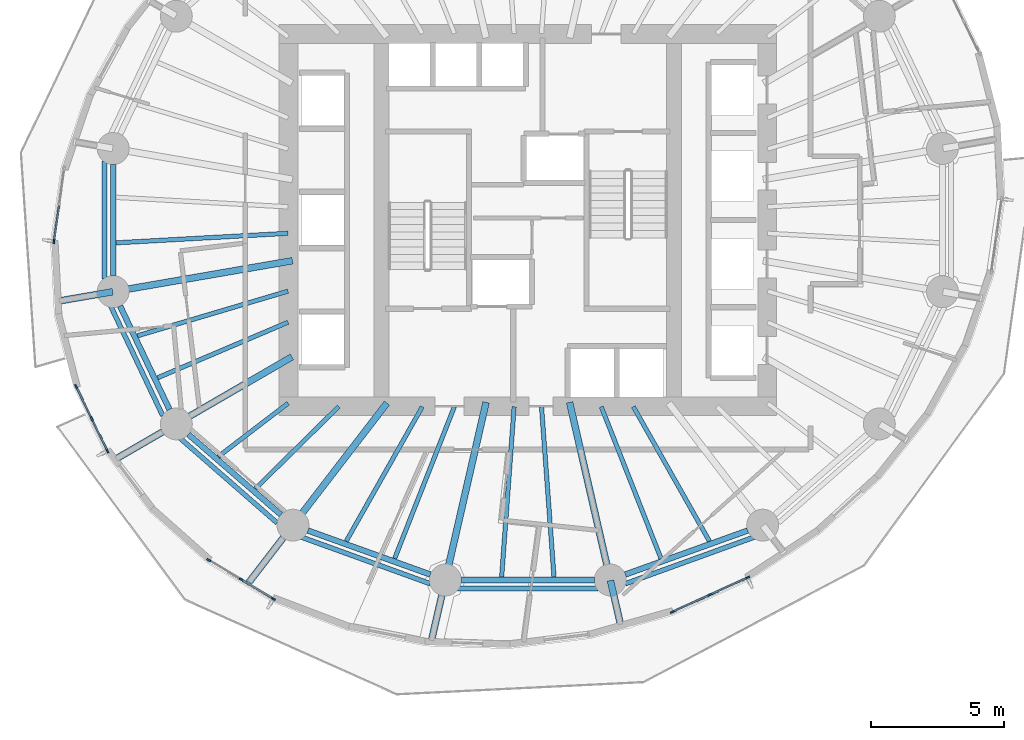
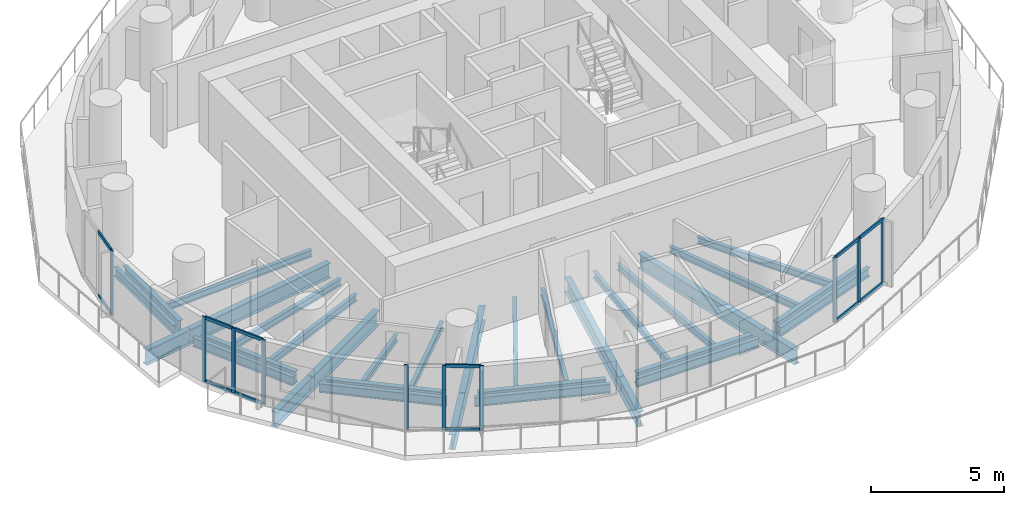
# One storey, part 2 of 14: 33 beams, 22 members, 4 elements without a shape of their own.
"""IFC4 building model written with IfcOpenShell, lengths in metres."""

from ifc_helpers import new_model, si_unit, direction, frame, origin, origin_2d, place, context, subcontext, project, spatial, rectangle, i_section, extrude, material, material_profile, profile_set, type_object, element, aggregate, save


model = new_model("IFC4")

# Units and contexts
model_context = context("Model", 3, precision=1e-05, world=origin(), true_north=direction((0.0, 1.0)))
body_context = subcontext(model_context, "Body", "Model", "MODEL_VIEW")
ifc_project = project(units=[si_unit("LENGTHUNIT", "METRE"), si_unit("AREAUNIT", "SQUARE_METRE"), si_unit("VOLUMEUNIT", "CUBIC_METRE"), si_unit("PLANEANGLEUNIT", "RADIAN"), si_unit("MASSUNIT", "GRAM", prefix="KILO")], contexts=[model_context])

# Site, building, storey
site_placement = place(None, origin())
site = spatial("IfcSite", under=ifc_project, at=site_placement, CompositionType="ELEMENT")
building_placement = place(site_placement, origin())
building = spatial("IfcBuilding", under=site, at=building_placement, Name="Veldorim Arch Residences", CompositionType="ELEMENT")
storey_placement = place(building_placement, frame((0.0, 0.0, 86.8798828125)))
storey = spatial("IfcBuildingStorey", under=building, at=storey_placement, Name="L25", CompositionType="ELEMENT", Elevation=86.8798828125)

# Beams
ifc_material_1 = material(Name="Steel S355", Category="steel")
ifc_material_profile_1 = material_profile(ifc_material_1, i_section(OverallWidth=0.2119140625, OverallDepth=0.54443359375, WebThickness=0.0126953125, FlangeThickness=0.021240234375, at=origin_2d()), Name="UB533x210x122")
ifc_profile_set_1 = profile_set([ifc_material_profile_1], Name="Steel S355")
beam_type_1 = type_object("IfcBeamType", Name="Structural Steel Beam UB533x210x122", PredefinedType="BEAM", material=ifc_profile_set_1)
beam_1_placement = place(storey_placement, frame((16.405517578125, 26.09228515625, -0.511962890625), z_axis=(0.0, -1.0, 0.0), x_axis=(1.0, 0.0, 0.0)))
element("IfcBeam", 1, at=beam_1_placement, inside=storey, type_object=beam_type_1, Name="L25 perimeter ring tie beam 08", PredefinedType="BEAM", context=body_context, shape_type="SweptSolid", body=[
    extrude(i_section(OverallWidth=0.2119140625, OverallDepth=0.54443359375, WebThickness=0.0126953125, FlangeThickness=0.021240234375, at=origin_2d()), origin(), (0.0, 0.0, 1.0), 4.1845703125),
])
beam_2_placement = place(storey_placement, frame((16.663818359375, 20.766357421875, -0.511962890625), z_axis=(0.430720154476, -0.902485539235, 0.0), x_axis=(0.902485539235, 0.430720154476, 0.0)))
element("IfcBeam", 2, at=beam_2_placement, inside=storey, type_object=beam_type_1, Name="L25 perimeter ring tie beam 09", PredefinedType="BEAM", context=body_context, shape_type="SweptSolid", body=[
    extrude(i_section(OverallWidth=0.2119140625, OverallDepth=0.54443359375, WebThickness=0.0126953125, FlangeThickness=0.021240234375, at=origin_2d()), origin(), (0.0, 0.0, 1.0), 4.312255859375),
])
beam_3_placement = place(storey_placement, frame((19.232666015625, 15.939697265625, -0.511962890625), z_axis=(0.755244952556, -0.655442645576, 0.0), x_axis=(0.655442645576, 0.755244952556, 0.0)))
element("IfcBeam", 3, at=beam_3_placement, inside=storey, type_object=beam_type_1, Name="L25 perimeter ring tie beam 10", PredefinedType="BEAM", context=body_context, shape_type="SweptSolid", body=[
    extrude(i_section(OverallWidth=0.2119140625, OverallDepth=0.54443359375, WebThickness=0.0126953125, FlangeThickness=0.021240234375, at=origin_2d()), origin(), (0.0, 0.0, 1.0), 4.608642578125),
])
beam_4_placement = place(storey_placement, frame((23.73095703125, 12.32275390625, -0.511962890625), z_axis=(0.941041944493, -0.338289903343, 0.0), x_axis=(0.338289903343, 0.941041944493, 0.0)))
element("IfcBeam", 4, at=beam_4_placement, inside=storey, type_object=beam_type_1, Name="L25 perimeter ring tie beam 11", PredefinedType="BEAM", context=body_context, shape_type="SweptSolid", body=[
    extrude(i_section(OverallWidth=0.2119140625, OverallDepth=0.54443359375, WebThickness=0.0126953125, FlangeThickness=0.021240234375, at=origin_2d()), origin(), (0.0, 0.0, 1.0), 4.890869140625),
])
beam_5_placement = place(storey_placement, frame((29.498046875, 10.465087890625, -0.511962890625), z_axis=(1.0, 0.0, 0.0), x_axis=(0.0, 1.0, 0.0)))
element("IfcBeam", 5, at=beam_5_placement, inside=storey, type_object=beam_type_1, Name="L25 perimeter ring tie beam 12", PredefinedType="BEAM", context=body_context, shape_type="SweptSolid", body=[
    extrude(i_section(OverallWidth=0.2119140625, OverallDepth=0.54443359375, WebThickness=0.0126953125, FlangeThickness=0.021240234375, at=origin_2d()), origin(), (0.0, 0.0, 1.0), 5.00390625),
])
beam_6_placement = place(storey_placement, frame((35.66650390625, 10.668212890625, -0.511962890625), z_axis=(0.941041944493, 0.338289903343, 0.0), x_axis=(-0.338289903343, 0.941041944493, 0.0)))
element("IfcBeam", 6, at=beam_6_placement, inside=storey, type_object=beam_type_1, Name="L25 perimeter ring tie beam 13", PredefinedType="BEAM", context=body_context, shape_type="SweptSolid", body=[
    extrude(i_section(OverallWidth=0.2119140625, OverallDepth=0.54443359375, WebThickness=0.0126953125, FlangeThickness=0.021240234375, at=origin_2d()), origin(), (0.0, 0.0, 1.0), 4.890869140625),
])
ifc_material_2 = material(Name="Steel S355", Category="steel")
ifc_material_profile_2 = material_profile(ifc_material_2, i_section(OverallWidth=0.25439453125, OverallDepth=0.6875, WebThickness=0.01318359375, FlangeThickness=0.02099609375, at=origin_2d()), Name="UB686x254x152")
ifc_profile_set_2 = profile_set([ifc_material_profile_2], Name="Steel S355")
beam_type_2 = type_object("IfcBeamType", Name="Structural Steel GIRDER UB686x254x152", PredefinedType="USERDEFINED", material=ifc_profile_set_2)
beam_7_placement = place(storey_placement, frame((23.147705078125, 22.4716796875, -0.58349609375), z_axis=(-0.985426622718, -0.17010106184, 0.0), x_axis=(0.17010106184, -0.985426622718, 0.0)))
element("IfcBeam", 7, at=beam_7_placement, inside=storey, type_object=beam_type_2, Name="L25 radial floor girder 09", ObjectType="GIRDER", PredefinedType="USERDEFINED", context=body_context, shape_type="SweptSolid", body=[
    extrude(i_section(OverallWidth=0.25439453125, OverallDepth=0.6875, WebThickness=0.01318359375, FlangeThickness=0.02099609375, at=origin_2d()), origin(), (0.0, 0.0, 1.0), 6.82177734375),
])
beam_8_placement = place(storey_placement, frame((16.3857421875, 21.304443359375, -0.58349609375), z_axis=(-0.985423467948, -0.170119336988, 0.0), x_axis=(0.170119336988, -0.985423467948, 0.0)))
element("IfcBeam", 8, at=beam_8_placement, inside=storey, type_object=beam_type_2, Name="L25 radial edge cantilever girder 09", ObjectType="GIRDER", PredefinedType="USERDEFINED", context=body_context, shape_type="SweptSolid", body=[
    extrude(i_section(OverallWidth=0.25439453125, OverallDepth=0.6875, WebThickness=0.01318359375, FlangeThickness=0.02099609375, at=origin_2d()), origin(), (0.0, 0.0, 1.0), 2.11669921875),
])
beam_9_placement = place(storey_placement, frame((23.1298828125, 18.85595703125, -0.58349609375), z_axis=(-0.865048957682, -0.501687453314, 0.0), x_axis=(0.501687453314, -0.865048957682, 0.0)))
element("IfcBeam", 9, at=beam_9_placement, inside=storey, type_object=beam_type_2, Name="L25 radial floor girder 10", ObjectType="GIRDER", PredefinedType="USERDEFINED", context=body_context, shape_type="SweptSolid", body=[
    extrude(i_section(OverallWidth=0.25439453125, OverallDepth=0.6875, WebThickness=0.01318359375, FlangeThickness=0.02099609375, at=origin_2d()), origin(), (0.0, 0.0, 1.0), 5.009033203125),
])
beam_10_placement = place(storey_placement, frame((18.76220703125, 16.322998046875, -0.58349609375), z_axis=(-0.865063665573, -0.501662091956, 0.0), x_axis=(0.501662091956, -0.865063665573, 0.0)))
element("IfcBeam", 10, at=beam_10_placement, inside=storey, type_object=beam_type_2, Name="L25 radial edge cantilever girder 10", ObjectType="GIRDER", PredefinedType="USERDEFINED", context=body_context, shape_type="SweptSolid", body=[
    extrude(i_section(OverallWidth=0.25439453125, OverallDepth=0.6875, WebThickness=0.01318359375, FlangeThickness=0.02099609375, at=origin_2d()), origin(), (0.0, 0.0, 1.0), 2.67529296875),
])
beam_11_placement = place(storey_placement, frame((26.702392578125, 17.118896484375, -0.58349609375), z_axis=(-0.609994628196, -0.792405548676, 0.0), x_axis=(0.792405548676, -0.609994628196, 0.0)))
element("IfcBeam", 11, at=beam_11_placement, inside=storey, type_object=beam_type_2, Name="L25 radial floor girder 11", ObjectType="GIRDER", PredefinedType="USERDEFINED", context=body_context, shape_type="SweptSolid", body=[
    extrude(i_section(OverallWidth=0.25439453125, OverallDepth=0.6875, WebThickness=0.01318359375, FlangeThickness=0.02099609375, at=origin_2d()), origin(), (0.0, 0.0, 1.0), 5.776611328125),
])
beam_12_placement = place(storey_placement, frame((23.154296875, 12.510009765625, -0.58349609375), z_axis=(-0.610003108496, -0.792399020459, 0.0), x_axis=(0.792399020459, -0.610003108496, 0.0)))
element("IfcBeam", 12, at=beam_12_placement, inside=storey, type_object=beam_type_2, Name="L25 radial edge cantilever girder 11", ObjectType="GIRDER", PredefinedType="USERDEFINED", context=body_context, shape_type="SweptSolid", body=[
    extrude(i_section(OverallWidth=0.25439453125, OverallDepth=0.6875, WebThickness=0.01318359375, FlangeThickness=0.02099609375, at=origin_2d()), origin(), (0.0, 0.0, 1.0), 2.743896484375),
])
beam_13_placement = place(storey_placement, frame((30.42919921875, 17.146240234375, -0.58349609375), z_axis=(-0.223374742148, -0.97473264261, 0.0), x_axis=(0.97473264261, -0.223374742148, 0.0)))
element("IfcBeam", 13, at=beam_13_placement, inside=storey, type_object=beam_type_2, Name="L25 radial floor girder 12", ObjectType="GIRDER", PredefinedType="USERDEFINED", context=body_context, shape_type="SweptSolid", body=[
    extrude(i_section(OverallWidth=0.25439453125, OverallDepth=0.6875, WebThickness=0.01318359375, FlangeThickness=0.02099609375, at=origin_2d()), origin(), (0.0, 0.0, 1.0), 6.834228515625),
])
beam_14_placement = place(storey_placement, frame((28.8935546875, 10.44580078125, -0.58349609375), z_axis=(-0.223325717101, -0.974743876145, 0.0), x_axis=(0.974743876145, -0.223325717101, 0.0)))
element("IfcBeam", 14, at=beam_14_placement, inside=storey, type_object=beam_type_2, Name="L25 radial edge cantilever girder 12", ObjectType="GIRDER", PredefinedType="USERDEFINED", context=body_context, shape_type="SweptSolid", body=[
    extrude(i_section(OverallWidth=0.25439453125, OverallDepth=0.6875, WebThickness=0.01318359375, FlangeThickness=0.02099609375, at=origin_2d()), origin(), (0.0, 0.0, 1.0), 2.395263671875),
])
beam_15_placement = place(storey_placement, frame((33.57080078125, 17.146240234375, -0.58349609375), z_axis=(0.223374742148, -0.97473264261, 0.0), x_axis=(0.97473264261, 0.223374742148, 0.0)))
element("IfcBeam", 15, at=beam_15_placement, inside=storey, type_object=beam_type_2, Name="L25 radial floor girder 13", ObjectType="GIRDER", PredefinedType="USERDEFINED", context=body_context, shape_type="SweptSolid", body=[
    extrude(i_section(OverallWidth=0.25439453125, OverallDepth=0.6875, WebThickness=0.01318359375, FlangeThickness=0.02099609375, at=origin_2d()), origin(), (0.0, 0.0, 1.0), 6.834228515625),
])
beam_16_placement = place(storey_placement, frame((35.1064453125, 10.44580078125, -0.58349609375), z_axis=(0.223398006298, -0.974727310986, 0.0), x_axis=(0.974727310986, 0.223398006298, 0.0)))
element("IfcBeam", 16, at=beam_16_placement, inside=storey, type_object=beam_type_2, Name="L25 radial edge cantilever girder 13", ObjectType="GIRDER", PredefinedType="USERDEFINED", context=body_context, shape_type="SweptSolid", body=[
    extrude(i_section(OverallWidth=0.25439453125, OverallDepth=0.6875, WebThickness=0.01318359375, FlangeThickness=0.02099609375, at=origin_2d()), origin(), (0.0, 0.0, 1.0), 1.769287109375),
])
ifc_material_3 = material(Name="Steel S355", Category="steel")
ifc_material_profile_3 = material_profile(ifc_material_3, i_section(OverallWidth=0.165771484375, OverallDepth=0.306640625, WebThickness=0.006591796875, FlangeThickness=0.01171875, at=origin_2d()), Name="UB305x165x46")
ifc_profile_set_3 = profile_set([ifc_material_profile_3], Name="Steel S355")
beam_type_3 = type_object("IfcBeamType", Name="Structural Steel Joist UB305x165x46", PredefinedType="JOIST", material=ifc_profile_set_3)
beam_17_placement = place(storey_placement, frame((22.97998046875, 23.501708984375, -0.39306640625), z_axis=(-0.99847713097, -0.055167190702, 0.0), x_axis=(0.055167190702, -0.99847713097, 0.0)))
element("IfcBeam", 17, at=beam_17_placement, inside=storey, type_object=beam_type_3, Name="L25 secondary radial floor joist 08-2", PredefinedType="JOIST", context=body_context, shape_type="SweptSolid", body=[
    extrude(i_section(OverallWidth=0.165771484375, OverallDepth=0.306640625, WebThickness=0.006591796875, FlangeThickness=0.01171875, at=origin_2d()), origin(), (0.0, 0.0, 1.0), 6.474365234375),
])
beam_18_placement = place(storey_placement, frame((22.980712890625, 21.326416015625, -0.39306640625), z_axis=(-0.958753061488, -0.284240333324, 0.0), x_axis=(0.284240333324, -0.958753061488, 0.0)))
element("IfcBeam", 18, at=beam_18_placement, inside=storey, type_object=beam_type_3, Name="L25 secondary radial floor joist 09-1", PredefinedType="JOIST", context=body_context, shape_type="SweptSolid", body=[
    extrude(i_section(OverallWidth=0.165771484375, OverallDepth=0.306640625, WebThickness=0.006591796875, FlangeThickness=0.01171875, at=origin_2d()), origin(), (0.0, 0.0, 1.0), 5.906005859375),
])
beam_19_placement = place(storey_placement, frame((22.981689453125, 20.158447265625, -0.39306640625), z_axis=(-0.919997395122, -0.391924473552, 0.0), x_axis=(0.391924473552, -0.919997395122, 0.0)))
element("IfcBeam", 19, at=beam_19_placement, inside=storey, type_object=beam_type_3, Name="L25 secondary radial floor joist 09-2", PredefinedType="JOIST", context=body_context, shape_type="SweptSolid", body=[
    extrude(i_section(OverallWidth=0.165771484375, OverallDepth=0.306640625, WebThickness=0.006591796875, FlangeThickness=0.01171875, at=origin_2d()), origin(), (0.0, 0.0, 1.0), 5.334716796875),
])
beam_20_placement = place(storey_placement, frame((22.984130859375, 17.111572265625, -0.39306640625), z_axis=(-0.794594763594, -0.60714014994, 0.0), x_axis=(0.60714014994, -0.794594763594, 0.0)))
element("IfcBeam", 20, at=beam_20_placement, inside=storey, type_object=beam_type_3, Name="L25 secondary radial floor joist 10-1", PredefinedType="JOIST", context=body_context, shape_type="SweptSolid", body=[
    extrude(i_section(OverallWidth=0.165771484375, OverallDepth=0.306640625, WebThickness=0.006591796875, FlangeThickness=0.01171875, at=origin_2d()), origin(), (0.0, 0.0, 1.0), 3.30419921875),
])
beam_21_placement = place(storey_placement, frame((24.885986328125, 16.986083984375, -0.39306640625), z_axis=(-0.712111629941, -0.702066255066, 0.0), x_axis=(0.702066255066, -0.712111629941, 0.0)))
element("IfcBeam", 21, at=beam_21_placement, inside=storey, type_object=beam_type_3, Name="L25 secondary radial floor joist 10-2", PredefinedType="JOIST", context=body_context, shape_type="SweptSolid", body=[
    extrude(i_section(OverallWidth=0.165771484375, OverallDepth=0.306640625, WebThickness=0.006591796875, FlangeThickness=0.01171875, at=origin_2d()), origin(), (0.0, 0.0, 1.0), 4.39892578125),
])
beam_22_placement = place(storey_placement, frame((28.03173828125, 16.982666015625, -0.39306640625), z_axis=(-0.492227411199, -0.870466642476, 0.0), x_axis=(0.870466642476, -0.492227411199, 0.0)))
element("IfcBeam", 22, at=beam_22_placement, inside=storey, type_object=beam_type_3, Name="L25 secondary radial floor joist 11-1", PredefinedType="JOIST", context=body_context, shape_type="SweptSolid", body=[
    extrude(i_section(OverallWidth=0.165771484375, OverallDepth=0.306640625, WebThickness=0.006591796875, FlangeThickness=0.01171875, at=origin_2d()), origin(), (0.0, 0.0, 1.0), 5.81494140625),
])
beam_23_placement = place(storey_placement, frame((29.238037109375, 16.9814453125, -0.39306640625), z_axis=(-0.366194870364, -0.930538186707, 0.0), x_axis=(0.930538186707, -0.366194870364, 0.0)))
element("IfcBeam", 23, at=beam_23_placement, inside=storey, type_object=beam_type_3, Name="L25 secondary radial floor joist 11-2", PredefinedType="JOIST", context=body_context, shape_type="SweptSolid", body=[
    extrude(i_section(OverallWidth=0.165771484375, OverallDepth=0.306640625, WebThickness=0.006591796875, FlangeThickness=0.01171875, at=origin_2d()), origin(), (0.0, 0.0, 1.0), 6.1396484375),
])
for number, where, z_axis, x_axis, name in (
    (24, (31.485107421875, 16.97998046875, -0.39306640625), (-0.073143494169, -0.997321427254, 0.0), (0.997321427254, -0.073143494169, 0.0), "L25 secondary radial floor joist 12-1"),
    (25, (32.514892578125, 16.97998046875, -0.39306640625), (0.073143494169, -0.997321427254, 0.0), (0.997321427254, 0.073143494169, 0.0), "L25 secondary radial floor joist 12-2"),
):
    element("IfcBeam", number, at=place(storey_placement, frame(where, z_axis=z_axis, x_axis=x_axis)), inside=storey, type_object=beam_type_3, Name=name, PredefinedType="JOIST", context=body_context, shape_type="SweptSolid", body=[
        extrude(i_section(OverallWidth=0.165771484375, OverallDepth=0.306640625, WebThickness=0.006591796875, FlangeThickness=0.01171875, at=origin_2d()), origin(), (0.0, 0.0, 1.0), 6.421875),
    ])
beam_24_placement = place(storey_placement, frame((34.761962890625, 16.9814453125, -0.39306640625), z_axis=(0.366194870364, -0.930538186707, 0.0), x_axis=(0.930538186707, 0.366194870364, 0.0)))
element("IfcBeam", 26, at=beam_24_placement, inside=storey, type_object=beam_type_3, Name="L25 secondary radial floor joist 13-1", PredefinedType="JOIST", context=body_context, shape_type="SweptSolid", body=[
    extrude(i_section(OverallWidth=0.165771484375, OverallDepth=0.306640625, WebThickness=0.006591796875, FlangeThickness=0.01171875, at=origin_2d()), origin(), (0.0, 0.0, 1.0), 6.1396484375),
])
beam_25_placement = place(storey_placement, frame((35.96826171875, 16.982666015625, -0.39306640625), z_axis=(0.492227411199, -0.870466642476, 0.0), x_axis=(0.870466642476, 0.492227411199, 0.0)))
element("IfcBeam", 27, at=beam_25_placement, inside=storey, type_object=beam_type_3, Name="L25 secondary radial floor joist 13-2", PredefinedType="JOIST", context=body_context, shape_type="SweptSolid", body=[
    extrude(i_section(OverallWidth=0.165771484375, OverallDepth=0.306640625, WebThickness=0.006591796875, FlangeThickness=0.01171875, at=origin_2d()), origin(), (0.0, 0.0, 1.0), 5.81494140625),
])
ifc_material_4 = material(Name="Steel S355", Category="steel")
ifc_material_profile_4 = material_profile(ifc_material_4, i_section(OverallWidth=0.1787109375, OverallDepth=0.409423828125, WebThickness=0.0087890625, FlangeThickness=0.014404296875, at=origin_2d()), Name="UB406x178x67")
ifc_profile_set_4 = profile_set([ifc_material_profile_4], Name="Steel S355")
beam_type_4 = type_object("IfcBeamType", Name="Structural Steel Spandrel UB406x178x67", PredefinedType="SPANDREL", material=ifc_profile_set_4)
beam_26_placement = place(storey_placement, frame((16.080322265625, 26.22021484375, -0.464599609375), z_axis=(0.0, -1.0, 0.0), x_axis=(1.0, 0.0, 0.0)))
element("IfcBeam", 28, at=beam_26_placement, inside=storey, type_object=beam_type_4, Name="L25 perimeter chord spandrel beam 08", PredefinedType="SPANDREL", context=body_context, shape_type="SweptSolid", body=[
    extrude(i_section(OverallWidth=0.1787109375, OverallDepth=0.409423828125, WebThickness=0.0087890625, FlangeThickness=0.014404296875, at=origin_2d()), origin(), (0.0, 0.0, 1.0), 4.4404296875),
])
beam_27_placement = place(storey_placement, frame((16.306884765625, 20.774658203125, -0.464599609375), z_axis=(0.428857472204, -0.903372165021, 0.0), x_axis=(0.903372165021, 0.428857472204, 0.0)))
element("IfcBeam", 29, at=beam_27_placement, inside=storey, type_object=beam_type_4, Name="L25 perimeter chord spandrel beam 09", PredefinedType="SPANDREL", context=body_context, shape_type="SweptSolid", body=[
    extrude(i_section(OverallWidth=0.1787109375, OverallDepth=0.409423828125, WebThickness=0.0087890625, FlangeThickness=0.014404296875, at=origin_2d()), origin(), (0.0, 0.0, 1.0), 4.572021484375),
])
beam_28_placement = place(storey_placement, frame((18.891845703125, 15.8203125, -0.464599609375), z_axis=(0.753323239074, -0.65765043714, 0.0), x_axis=(0.65765043714, 0.753323239074, 0.0)))
element("IfcBeam", 30, at=beam_28_placement, inside=storey, type_object=beam_type_4, Name="L25 perimeter chord spandrel beam 10", PredefinedType="SPANDREL", context=body_context, shape_type="SweptSolid", body=[
    extrude(i_section(OverallWidth=0.1787109375, OverallDepth=0.409423828125, WebThickness=0.0087890625, FlangeThickness=0.014404296875, at=origin_2d()), origin(), (0.0, 0.0, 1.0), 4.879150390625),
])
beam_29_placement = place(storey_placement, frame((23.461669921875, 12.08447265625, -0.464599609375), z_axis=(0.940307501418, -0.340326024244, 0.0), x_axis=(0.340326024244, 0.940307501418, 0.0)))
element("IfcBeam", 31, at=beam_29_placement, inside=storey, type_object=beam_type_4, Name="L25 perimeter chord spandrel beam 11", PredefinedType="SPANDREL", context=body_context, shape_type="SweptSolid", body=[
    extrude(i_section(OverallWidth=0.1787109375, OverallDepth=0.409423828125, WebThickness=0.0087890625, FlangeThickness=0.014404296875, at=origin_2d()), origin(), (0.0, 0.0, 1.0), 5.175048828125),
])
beam_30_placement = place(storey_placement, frame((29.352294921875, 10.1435546875, -0.464599609375), z_axis=(1.0, 0.0, 0.0), x_axis=(0.0, 1.0, 0.0)))
element("IfcBeam", 32, at=beam_30_placement, inside=storey, type_object=beam_type_4, Name="L25 perimeter chord spandrel beam 12", PredefinedType="SPANDREL", context=body_context, shape_type="SweptSolid", body=[
    extrude(i_section(OverallWidth=0.1787109375, OverallDepth=0.409423828125, WebThickness=0.0087890625, FlangeThickness=0.014404296875, at=origin_2d()), origin(), (0.0, 0.0, 1.0), 5.29541015625),
])
beam_31_placement = place(storey_placement, frame((35.672119140625, 10.3232421875, -0.464599609375), z_axis=(0.940307501418, 0.340326024244, 0.0), x_axis=(-0.340326024244, 0.940307501418, 0.0)))
element("IfcBeam", 33, at=beam_31_placement, inside=storey, type_object=beam_type_4, Name="L25 perimeter chord spandrel beam 13", PredefinedType="SPANDREL", context=body_context, shape_type="SweptSolid", body=[
    extrude(i_section(OverallWidth=0.1787109375, OverallDepth=0.409423828125, WebThickness=0.0087890625, FlangeThickness=0.014404296875, at=origin_2d()), origin(), (0.0, 0.0, 1.0), 5.175048828125),
])

# Curtain wall, member
ifc_material_5 = material(Name="Aluminium", Category="aluminium")
curtain_wall_type = type_object("IfcCurtainWallType", Name="Zone 2 Solar-Control Unitised Curtain Wall", PredefinedType="NOTDEFINED", material=ifc_material_5)
curtain_wall_1_placement = place(storey_placement, origin())
curtain_wall_1 = element("IfcCurtainWall", 34, at=curtain_wall_1_placement, inside=storey, type_object=curtain_wall_type, Name="L25 unitised curtain wall bay 16", PredefinedType="NOTDEFINED")
ifc_material_6 = material(Name="Aluminium", Category="aluminium")
ifc_material_profile_5 = material_profile(ifc_material_6, rectangle(XDim=0.06494140625, YDim=0.1650390625, at=origin_2d()), Name="ALU_MUL_65x165")
ifc_profile_set_5 = profile_set([ifc_material_profile_5], Name="Aluminium")
member_type_1 = type_object("IfcMemberType", Name="Zone 2 Solar-Control Unitised Curtain Wall Mullion 65x165", PredefinedType="MULLION", material=ifc_profile_set_5)
member_1_placement = place(storey_placement, frame((14.1767578125, 23.197998046875, 0.0), z_axis=(0.0, 0.0, 1.0), x_axis=(-0.990070536302, 0.140571452105, 0.0)))
member_1 = element("IfcMember", 35, at=member_1_placement, type_object=member_type_1, Name="CW-Z2 mullion 1", PredefinedType="MULLION", context=body_context, shape_type="SweptSolid", body=[
    extrude(rectangle(XDim=0.06494140625, YDim=0.1650390625, at=origin_2d()), origin(), (0.0, 0.0, 1.0), 2.960205078125),
])

# Curtain wall, members
curtain_wall_2_placement = place(storey_placement, origin())
curtain_wall_2 = element("IfcCurtainWall", 36, at=curtain_wall_2_placement, inside=storey, type_object=curtain_wall_type, Name="L25 unitised curtain wall bay 19", PredefinedType="NOTDEFINED")
member_2_placement = place(storey_placement, frame((16.18701171875, 15.315673828125, 0.0), z_axis=(0.0, 0.0, 1.0), x_axis=(-0.89943933332, -0.437045633403, 0.0)))
member_2 = element("IfcMember", 37, at=member_2_placement, type_object=member_type_1, Name="CW-Z2 mullion 1", PredefinedType="MULLION", context=body_context, shape_type="SweptSolid", body=[
    extrude(rectangle(XDim=0.06494140625, YDim=0.1650390625, at=origin_2d()), origin(), (0.0, 0.0, 1.0), 2.960205078125),
])
member_3_placement = place(storey_placement, frame((15.598388671875, 16.526611328125, 0.0), z_axis=(0.0, 0.0, 1.0), x_axis=(-0.89943933332, -0.437045633403, 0.0)))
member_3 = element("IfcMember", 38, at=member_3_placement, type_object=member_type_1, Name="CW-Z2 mullion 2", PredefinedType="MULLION", context=body_context, shape_type="SweptSolid", body=[
    extrude(rectangle(XDim=0.06494140625, YDim=0.1650390625, at=origin_2d()), origin(), (0.0, 0.0, 1.0), 2.960205078125),
])
member_4_placement = place(storey_placement, frame((15.010009765625, 17.737548828125, 0.0), z_axis=(0.0, 0.0, 1.0), x_axis=(-0.89943933332, -0.437045633403, 0.0)))
member_4 = element("IfcMember", 39, at=member_4_placement, type_object=member_type_1, Name="CW-Z2 mullion 3", PredefinedType="MULLION", context=body_context, shape_type="SweptSolid", body=[
    extrude(rectangle(XDim=0.06494140625, YDim=0.1650390625, at=origin_2d()), origin(), (0.0, 0.0, 1.0), 2.960205078125),
])

curtain_wall_3_placement = place(storey_placement, origin())
curtain_wall_3 = element("IfcCurtainWall", 40, at=curtain_wall_3_placement, inside=storey, type_object=curtain_wall_type, Name="L25 unitised curtain wall bay 22", PredefinedType="NOTDEFINED")
member_5_placement = place(storey_placement, frame((22.430908203125, 9.755126953125, 0.0), z_axis=(0.0, 0.0, 1.0), x_axis=(-0.514313089023, -0.857602499098, 0.0)))
member_5 = element("IfcMember", 41, at=member_5_placement, type_object=member_type_1, Name="CW-Z2 mullion 1", PredefinedType="MULLION", context=body_context, shape_type="SweptSolid", body=[
    extrude(rectangle(XDim=0.06494140625, YDim=0.1650390625, at=origin_2d()), origin(), (0.0, 0.0, 1.0), 2.960205078125),
])
member_6_placement = place(storey_placement, frame((21.2158203125, 10.483642578125, 0.0), z_axis=(0.0, 0.0, 1.0), x_axis=(-0.514313089023, -0.857602499098, 0.0)))
member_6 = element("IfcMember", 42, at=member_6_placement, type_object=member_type_1, Name="CW-Z2 mullion 2", PredefinedType="MULLION", context=body_context, shape_type="SweptSolid", body=[
    extrude(rectangle(XDim=0.06494140625, YDim=0.1650390625, at=origin_2d()), origin(), (0.0, 0.0, 1.0), 2.960205078125),
])
member_7_placement = place(storey_placement, frame((20.0009765625, 11.21240234375, 0.0), z_axis=(0.0, 0.0, 1.0), x_axis=(-0.514313089023, -0.857602499098, 0.0)))
member_7 = element("IfcMember", 43, at=member_7_placement, type_object=member_type_1, Name="CW-Z2 mullion 3", PredefinedType="MULLION", context=body_context, shape_type="SweptSolid", body=[
    extrude(rectangle(XDim=0.06494140625, YDim=0.1650390625, at=origin_2d()), origin(), (0.0, 0.0, 1.0), 2.960205078125),
])

curtain_wall_4_placement = place(storey_placement, origin())
curtain_wall_4 = element("IfcCurtainWall", 44, at=curtain_wall_4_placement, inside=storey, type_object=curtain_wall_type, Name="L25 unitised curtain wall bay 28", PredefinedType="NOTDEFINED")
member_8_placement = place(storey_placement, frame((40.262451171875, 10.551025390625, 0.0), z_axis=(0.0, 0.0, 1.0), x_axis=(0.414741699201, -0.909939186399, 0.0)))
member_8 = element("IfcMember", 45, at=member_8_placement, type_object=member_type_1, Name="CW-Z2 mullion 1", PredefinedType="MULLION", context=body_context, shape_type="SweptSolid", body=[
    extrude(rectangle(XDim=0.06494140625, YDim=0.1650390625, at=origin_2d()), origin(), (0.0, 0.0, 1.0), 2.960205078125),
])
member_9_placement = place(storey_placement, frame((38.85009765625, 9.9072265625, 0.0), z_axis=(0.0, 0.0, 1.0), x_axis=(0.414741699201, -0.909939186399, 0.0)))
member_9 = element("IfcMember", 46, at=member_9_placement, type_object=member_type_1, Name="CW-Z2 mullion 2", PredefinedType="MULLION", context=body_context, shape_type="SweptSolid", body=[
    extrude(rectangle(XDim=0.06494140625, YDim=0.1650390625, at=origin_2d()), origin(), (0.0, 0.0, 1.0), 2.960205078125),
])
member_10_placement = place(storey_placement, frame((37.437744140625, 9.263427734375, 0.0), z_axis=(0.0, 0.0, 1.0), x_axis=(0.414741699201, -0.909939186399, 0.0)))
member_10 = element("IfcMember", 47, at=member_10_placement, type_object=member_type_1, Name="CW-Z2 mullion 3", PredefinedType="MULLION", context=body_context, shape_type="SweptSolid", body=[
    extrude(rectangle(XDim=0.06494140625, YDim=0.1650390625, at=origin_2d()), origin(), (0.0, 0.0, 1.0), 2.960205078125),
])

# Member
ifc_material_7 = material(Name="Aluminium", Category="aluminium")
ifc_material_profile_6 = material_profile(ifc_material_7, rectangle(XDim=0.06494140625, YDim=0.14501953125, at=origin_2d()), Name="ALU_TRN_65x145")
ifc_profile_set_6 = profile_set([ifc_material_profile_6], Name="Aluminium")
member_type_2 = type_object("IfcMemberType", Name="Zone 2 Solar-Control Unitised Curtain Wall Transom 65x145", PredefinedType="USERDEFINED", material=ifc_profile_set_6)
member_11_placement = place(storey_placement, frame((14.18115234375, 23.230224609375, 0.03271484375), z_axis=(0.140644069109, 0.990060223332, 0.0), x_axis=(-0.990060223332, 0.140644069109, 0.0)))
member_11 = element("IfcMember", 48, at=member_11_placement, type_object=member_type_2, Name="CW-Z2 transom 1.1", ObjectType="TRANSOM", PredefinedType="USERDEFINED", context=body_context, shape_type="SweptSolid", body=[
    extrude(rectangle(XDim=0.06494140625, YDim=0.14501953125, at=origin_2d()), origin(), (0.0, 0.0, 1.0), 1.3193359375),
])

member_12_placement = place(storey_placement, frame((14.18115234375, 23.230224609375, 2.927734375), z_axis=(0.140644069109, 0.990060223332, 0.0), x_axis=(-0.990060223332, 0.140644069109, 0.0)))
member_12 = element("IfcMember", 49, at=member_12_placement, type_object=member_type_2, Name="CW-Z2 transom 1.2", ObjectType="TRANSOM", PredefinedType="USERDEFINED", context=body_context, shape_type="SweptSolid", body=[
    extrude(rectangle(XDim=0.06494140625, YDim=0.14501953125, at=origin_2d()), origin(), (0.0, 0.0, 1.0), 1.3193359375),
])

aggregate(curtain_wall_1, [member_1, member_11, member_12])

member_13_placement = place(storey_placement, frame((16.172607421875, 15.344970703125, 0.03271484375), z_axis=(-0.436970043232, 0.899476059335, 0.0), x_axis=(-0.899476059335, -0.436970043232, 0.0)))
member_13 = element("IfcMember", 50, at=member_13_placement, type_object=member_type_2, Name="CW-Z2 transom 1.1", ObjectType="TRANSOM", PredefinedType="USERDEFINED", context=body_context, shape_type="SweptSolid", body=[
    extrude(rectangle(XDim=0.06494140625, YDim=0.14501953125, at=origin_2d()), origin(), (0.0, 0.0, 1.0), 1.281005859375),
])

member_14_placement = place(storey_placement, frame((16.172607421875, 15.344970703125, 2.927734375), z_axis=(-0.436970043232, 0.899476059335, 0.0), x_axis=(-0.899476059335, -0.436970043232, 0.0)))
member_14 = element("IfcMember", 51, at=member_14_placement, type_object=member_type_2, Name="CW-Z2 transom 1.2", ObjectType="TRANSOM", PredefinedType="USERDEFINED", context=body_context, shape_type="SweptSolid", body=[
    extrude(rectangle(XDim=0.06494140625, YDim=0.14501953125, at=origin_2d()), origin(), (0.0, 0.0, 1.0), 1.281005859375),
])

member_15_placement = place(storey_placement, frame((15.584228515625, 16.555908203125, 0.03271484375), z_axis=(-0.436970043232, 0.899476059335, 0.0), x_axis=(-0.899476059335, -0.436970043232, 0.0)))
member_15 = element("IfcMember", 52, at=member_15_placement, type_object=member_type_2, Name="CW-Z2 transom 2.1", ObjectType="TRANSOM", PredefinedType="USERDEFINED", context=body_context, shape_type="SweptSolid", body=[
    extrude(rectangle(XDim=0.06494140625, YDim=0.14501953125, at=origin_2d()), origin(), (0.0, 0.0, 1.0), 1.281005859375),
])

member_16_placement = place(storey_placement, frame((15.584228515625, 16.555908203125, 2.927734375), z_axis=(-0.436970043232, 0.899476059335, 0.0), x_axis=(-0.899476059335, -0.436970043232, 0.0)))
member_16 = element("IfcMember", 53, at=member_16_placement, type_object=member_type_2, Name="CW-Z2 transom 2.2", ObjectType="TRANSOM", PredefinedType="USERDEFINED", context=body_context, shape_type="SweptSolid", body=[
    extrude(rectangle(XDim=0.06494140625, YDim=0.14501953125, at=origin_2d()), origin(), (0.0, 0.0, 1.0), 1.281005859375),
])

aggregate(curtain_wall_2, [member_2, member_3, member_4, member_13, member_14, member_15, member_16])

member_17_placement = place(storey_placement, frame((22.403076171875, 9.771728515625, 0.03271484375), z_axis=(-0.857604444173, 0.514309845653, 0.0), x_axis=(-0.514309845653, -0.857604444173, 0.0)))
member_17 = element("IfcMember", 54, at=member_17_placement, type_object=member_type_2, Name="CW-Z2 transom 1.1", ObjectType="TRANSOM", PredefinedType="USERDEFINED", context=body_context, shape_type="SweptSolid", body=[
    extrude(rectangle(XDim=0.06494140625, YDim=0.14501953125, at=origin_2d()), origin(), (0.0, 0.0, 1.0), 1.35205078125),
])

member_18_placement = place(storey_placement, frame((22.403076171875, 9.771728515625, 2.927734375), z_axis=(-0.857604444173, 0.514309845653, 0.0), x_axis=(-0.514309845653, -0.857604444173, 0.0)))
member_18 = element("IfcMember", 55, at=member_18_placement, type_object=member_type_2, Name="CW-Z2 transom 1.2", ObjectType="TRANSOM", PredefinedType="USERDEFINED", context=body_context, shape_type="SweptSolid", body=[
    extrude(rectangle(XDim=0.06494140625, YDim=0.14501953125, at=origin_2d()), origin(), (0.0, 0.0, 1.0), 1.35205078125),
])

aggregate(curtain_wall_3, [member_5, member_6, member_7, member_17, member_18])

member_19_placement = place(storey_placement, frame((40.23291015625, 10.537353515625, 0.03271484375), z_axis=(-0.909966885457, -0.414680922364, 0.0), x_axis=(0.414680922364, -0.909966885457, 0.0)))
member_19 = element("IfcMember", 56, at=member_19_placement, type_object=member_type_2, Name="CW-Z2 transom 1.1", ObjectType="TRANSOM", PredefinedType="USERDEFINED", context=body_context, shape_type="SweptSolid", body=[
    extrude(rectangle(XDim=0.06494140625, YDim=0.14501953125, at=origin_2d()), origin(), (0.0, 0.0, 1.0), 1.487060546875),
])

member_20_placement = place(storey_placement, frame((40.23291015625, 10.537353515625, 2.927734375), z_axis=(-0.909966885457, -0.414680922364, 0.0), x_axis=(0.414680922364, -0.909966885457, 0.0)))
member_20 = element("IfcMember", 57, at=member_20_placement, type_object=member_type_2, Name="CW-Z2 transom 1.2", ObjectType="TRANSOM", PredefinedType="USERDEFINED", context=body_context, shape_type="SweptSolid", body=[
    extrude(rectangle(XDim=0.06494140625, YDim=0.14501953125, at=origin_2d()), origin(), (0.0, 0.0, 1.0), 1.487060546875),
])

member_21_placement = place(storey_placement, frame((38.820556640625, 9.8935546875, 0.03271484375), z_axis=(-0.909966885457, -0.414680922364, 0.0), x_axis=(0.414680922364, -0.909966885457, 0.0)))
member_21 = element("IfcMember", 58, at=member_21_placement, type_object=member_type_2, Name="CW-Z2 transom 2.1", ObjectType="TRANSOM", PredefinedType="USERDEFINED", context=body_context, shape_type="SweptSolid", body=[
    extrude(rectangle(XDim=0.06494140625, YDim=0.14501953125, at=origin_2d()), origin(), (0.0, 0.0, 1.0), 1.487060546875),
])

member_22_placement = place(storey_placement, frame((38.820556640625, 9.8935546875, 2.927734375), z_axis=(-0.909966885457, -0.414680922364, 0.0), x_axis=(0.414680922364, -0.909966885457, 0.0)))
member_22 = element("IfcMember", 59, at=member_22_placement, type_object=member_type_2, Name="CW-Z2 transom 2.2", ObjectType="TRANSOM", PredefinedType="USERDEFINED", context=body_context, shape_type="SweptSolid", body=[
    extrude(rectangle(XDim=0.06494140625, YDim=0.14501953125, at=origin_2d()), origin(), (0.0, 0.0, 1.0), 1.487060546875),
])

aggregate(curtain_wall_4, [member_8, member_9, member_10, member_19, member_20, member_21, member_22])

save(model, "model.ifc")
